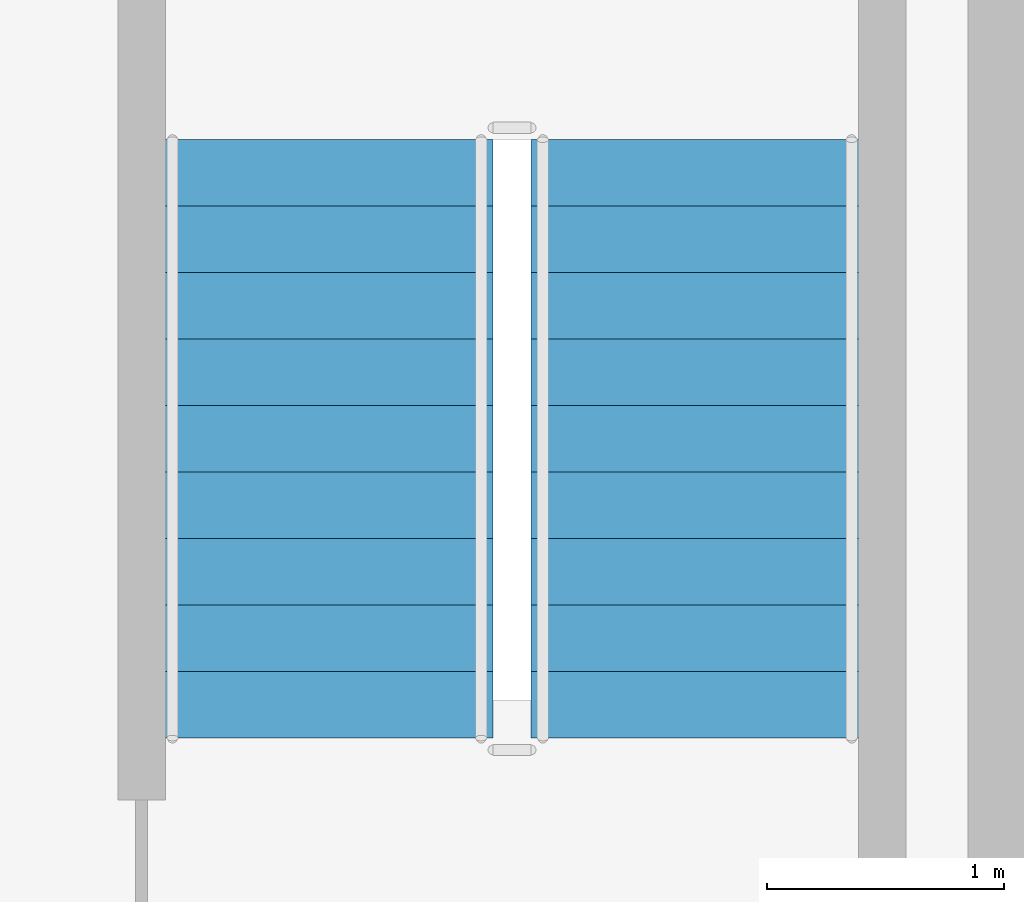
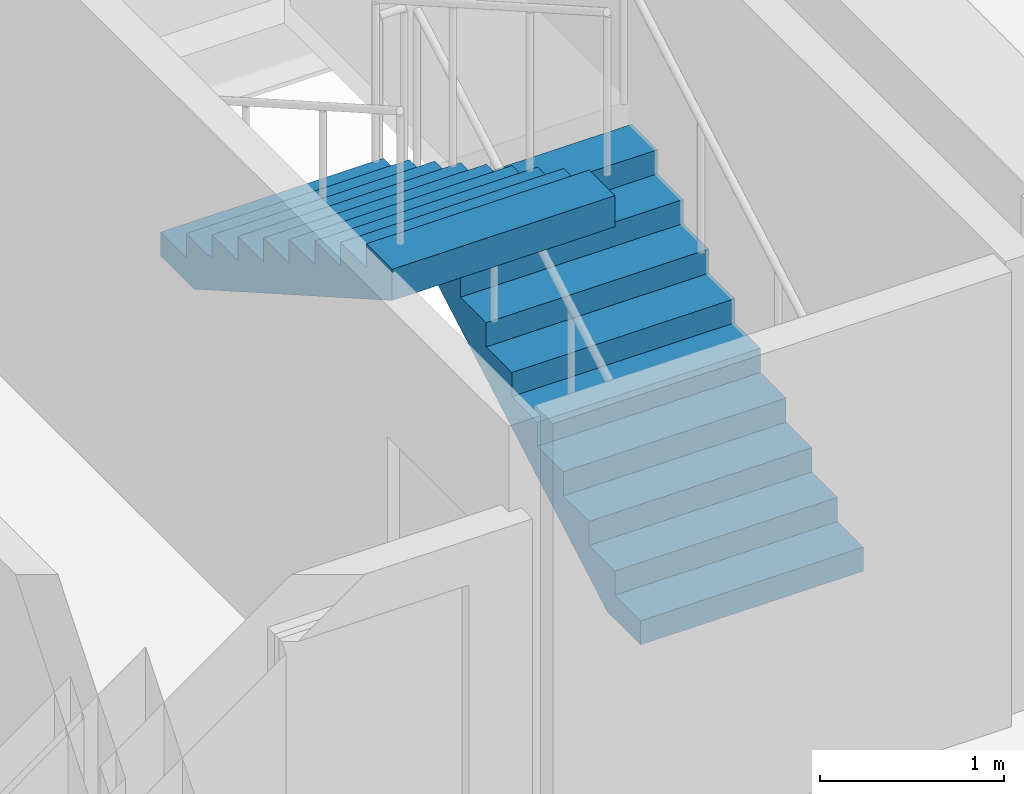
# One storey, part 8 of 10: 2 stair flights, 1 element without a shape of its own.
"""IFC4 building model written with IfcOpenShell, lengths in metres."""

from ifc_helpers import new_model, si_unit, direction, frame, origin, place, context, subcontext, project, spatial, polyline, outline, extrude, material, type_object, element, aggregate, save


model = new_model("IFC4")

# Units and contexts
model_context = context("Model", 3, precision=1e-05, world=origin(), true_north=direction((0.0, 1.0)))
body_context = subcontext(model_context, "Body", "Model", "MODEL_VIEW")
ifc_project = project(units=[si_unit("LENGTHUNIT", "METRE"), si_unit("AREAUNIT", "SQUARE_METRE"), si_unit("VOLUMEUNIT", "CUBIC_METRE"), si_unit("PLANEANGLEUNIT", "RADIAN"), si_unit("MASSUNIT", "GRAM", prefix="KILO")], contexts=[model_context])

# Site, building, storey
site_placement = place(None, origin())
site = spatial("IfcSite", under=ifc_project, at=site_placement, CompositionType="ELEMENT")
building_placement = place(site_placement, origin())
building = spatial("IfcBuilding", under=site, at=building_placement, Name="Kuzgunbayir Cultural Tower", CompositionType="ELEMENT")
storey_placement = place(building_placement, frame((0.0, 0.0, 163.199951171875)))
storey = spatial("IfcBuildingStorey", under=building, at=storey_placement, Name="L47", CompositionType="ELEMENT", Elevation=163.199951171875)

# Stair, stair flights
ifc_material = material(Name="Concrete C40/50", Category="concrete")
stair_type = type_object("IfcStairType", Name="STR-EXIT-CORE", PredefinedType="HALF_TURN_STAIR", material=ifc_material)
stair_placement = place(storey_placement, origin())
stair = element("IfcStair", 1, at=stair_placement, inside=storey, type_object=stair_type, Name="L47 ST-2", PredefinedType="HALF_TURN_STAIR")
stair_flight_type = type_object("IfcStairFlightType", Name="STRF-RC-140", PredefinedType="STRAIGHT", material=ifc_material)
stair_flight_1_placement = place(storey_placement, frame((25.4599609375, 35.60009765625, 0.0), z_axis=(0.0, 0.0, 1.0), x_axis=(0.0, 1.0, 0.0)))
stair_flight_1 = element("IfcStairFlight", 2, at=stair_flight_1_placement, type_object=stair_flight_type, Name="ST-2 flight 1", NumberOfRisers=10, NumberOfTreads=9, PredefinedType="STRAIGHT", RiserHeight=0.16, TreadLength=0.28, context=body_context, shape_type="SweptSolid", body=[
    extrude(outline(polyline([(0.0, 0.0), (0.0, 0.159912109375), (0.280029296875, 0.159912109375), (0.280029296875, 0.320068359375), (0.56005859375, 0.320068359375), (0.56005859375, 0.47998046875), (0.840087890625, 0.47998046875), (0.840087890625, 0.639892578125), (1.1201171875, 0.639892578125), (1.1201171875, 0.800048828125), (1.39990234375, 0.800048828125), (1.39990234375, 0.9599609375), (1.679931640625, 0.9599609375), (1.679931640625, 1.1201171875), (1.9599609375, 1.1201171875), (1.9599609375, 1.280029296875), (2.239990234375, 1.280029296875), (2.239990234375, 1.43994140625), (2.52001953125, 1.43994140625), (2.52001953125, 1.60009765625), (2.52001953125, 1.232666015625), (0.362548828125, 0.0), (0.0, 0.0)])), frame((0.0, 0.699951171875, 0.0), z_axis=(0.0, -1.0, 0.0), x_axis=(1.0, 0.0, 0.0)), (0.0, 0.0, 1.0), 1.39990234375),
])
stair_flight_2_placement = place(storey_placement, frame((23.89990234375, 38.1201171875, 1.60009765625), z_axis=(0.0, 0.0, 1.0), x_axis=(0.0, -1.0, 0.0)))
stair_flight_2 = element("IfcStairFlight", 3, at=stair_flight_2_placement, type_object=stair_flight_type, Name="ST-2 flight 2", NumberOfRisers=10, NumberOfTreads=9, PredefinedType="STRAIGHT", RiserHeight=0.16, TreadLength=0.28, context=body_context, shape_type="SweptSolid", body=[
    extrude(outline(polyline([(0.0, 0.0), (0.0, 0.159912109375), (0.280029296875, 0.159912109375), (0.280029296875, 0.320068359375), (0.56005859375, 0.320068359375), (0.56005859375, 0.47998046875), (0.840087890625, 0.47998046875), (0.840087890625, 0.639892578125), (1.1201171875, 0.639892578125), (1.1201171875, 0.800048828125), (1.39990234375, 0.800048828125), (1.39990234375, 0.9599609375), (1.679931640625, 0.9599609375), (1.679931640625, 1.1201171875), (1.9599609375, 1.1201171875), (1.9599609375, 1.280029296875), (2.239990234375, 1.280029296875), (2.239990234375, 1.43994140625), (2.52001953125, 1.43994140625), (2.52001953125, 1.60009765625), (2.52001953125, 1.232666015625), (0.362548828125, 0.0), (0.0, 0.0)])), frame((0.0, 0.699951171875, 0.0), z_axis=(0.0, -1.0, 0.0), x_axis=(1.0, 0.0, 0.0)), (0.0, 0.0, 1.0), 1.39990234375),
])
aggregate(stair, [stair_flight_1, stair_flight_2])

save(model, "model.ifc")
